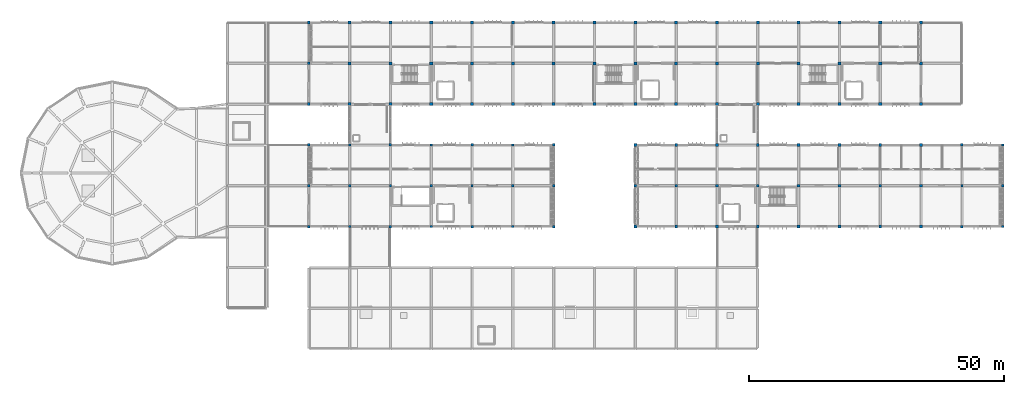
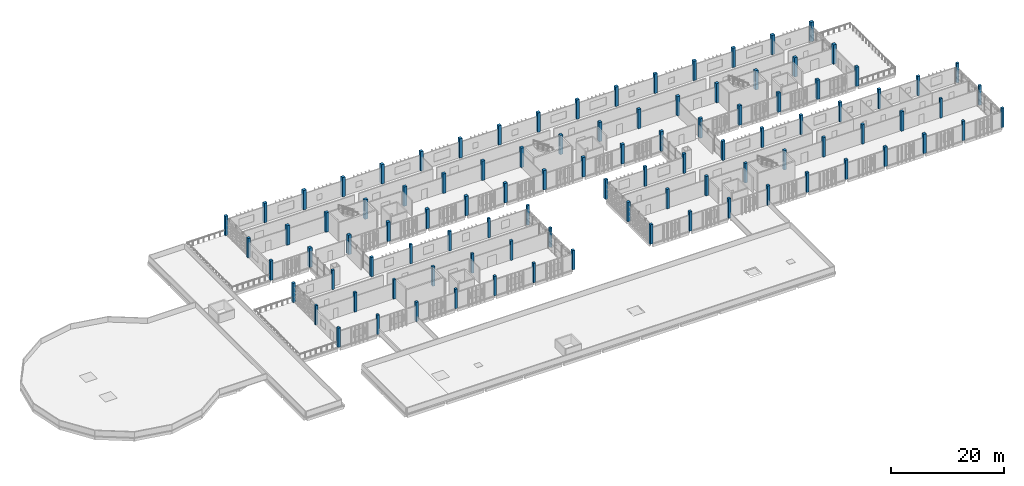
# One storey, part 1 of 48: 99 columns.
"""IFC4 building model written with IfcOpenShell, lengths in metres."""

from ifc_helpers import new_model, si_unit, direction, frame, origin, origin_2d, place, context, subcontext, project, spatial, rectangle, extrude, material, material_profile, profile_set, type_object, element, save


model = new_model("IFC4")

# Units and contexts
model_context = context("Model", 3, precision=1e-05, world=origin(), true_north=direction((0.0, 1.0)))
body_context = subcontext(model_context, "Body", "Model", "MODEL_VIEW")
ifc_project = project(units=[si_unit("LENGTHUNIT", "METRE"), si_unit("AREAUNIT", "SQUARE_METRE"), si_unit("VOLUMEUNIT", "CUBIC_METRE"), si_unit("PLANEANGLEUNIT", "RADIAN"), si_unit("MASSUNIT", "GRAM", prefix="KILO")], contexts=[model_context])

# Site, building, storey
site_placement = place(None, origin())
site = spatial("IfcSite", under=ifc_project, at=site_placement, CompositionType="ELEMENT")
building_placement = place(site_placement, origin())
building = spatial("IfcBuilding", under=site, at=building_placement, Name="Jelvoka-Kovrelna Polytechnic", CompositionType="ELEMENT")
storey_placement = place(building_placement, frame((0.0, 0.0, 22.199951171875)))
storey = spatial("IfcBuildingStorey", under=building, at=storey_placement, Name="L06", CompositionType="ELEMENT", Elevation=22.199951171875)

# Columns
ifc_material_1 = material(Name="Concrete C40/50", Category="concrete")
ifc_material_profile_1 = material_profile(ifc_material_1, rectangle(XDim=0.449951171875, YDim=0.449951171875, at=origin_2d()), Name="RC 450x450")
ifc_profile_set_1 = profile_set([ifc_material_profile_1], Name="Concrete C40/50")
column_type_1 = type_object("IfcColumnType", Name="Col_RC_450", PredefinedType="COLUMN", material=ifc_profile_set_1)
for number, where, z_axis, x_axis, name in (
    (1, (72.0, 32.0, 0.0), (0.0, 0.0, 1.0), (1.0, 0.0, 0.0), "L06 column 0457"),
    (2, (88.0, 32.0, 0.0), (0.0, 0.0, 1.0), (1.0, 0.0, 0.0), "L06 column 0471"),
    (3, (104.0, 32.0, 0.0), (0.0, 0.0, 1.0), (1.0, 0.0, 0.0), "L06 column 0485"),
    (4, (200.0, 32.0, 0.0), (0.0, 0.0, 1.0), (1.0, 0.0, 0.0), "L06 column 0571"),
    (5, (64.0, 40.0, 0.0), (0.0, 0.0, 1.0), (1.0, 0.0, 0.0), "L06 column 0632"),
    (6, (80.0, 40.0, 0.0), (0.0, 0.0, 1.0), (1.0, 0.0, 0.0), "L06 column 0646"),
    (7, (96.0, 40.0, 0.0), (0.0, 0.0, 1.0), (1.0, 0.0, 0.0), "L06 column 0660"),
    (8, (112.0, 40.0, 0.0), (0.0, 0.0, 1.0), (1.0, 0.0, 0.0), "L06 column 0674"),
    (9, (192.0, 40.0, 0.0), (0.0, 0.0, 1.0), (1.0, 0.0, 0.0), "L06 column 0746"),
    (10, (72.0, 48.0, 0.0), (0.0, 0.0, 1.0), (1.0, 0.0, 0.0), "L06 column 0803"),
    (11, (88.0, 48.0, 0.0), (0.0, 0.0, 1.0), (1.0, 0.0, 0.0), "L06 column 0817"),
    (12, (104.0, 48.0, 0.0), (0.0, 0.0, 1.0), (1.0, 0.0, 0.0), "L06 column 0831"),
    (13, (200.0, 48.0, 0.0), (0.0, 0.0, 1.0), (1.0, 0.0, 0.0), "L06 column 0917"),
):
    element("IfcColumn", number, at=place(storey_placement, frame(where, z_axis=z_axis, x_axis=x_axis)), inside=storey, type_object=column_type_1, Name=name, PredefinedType="COLUMN", context=body_context, shape_type="SweptSolid", body=[
        extrude(rectangle(XDim=0.449951171875, YDim=0.449951171875, at=origin_2d()), origin(), (0.0, 0.0, 1.0), 4.199951171875),
    ])
ifc_material_2 = material(Name="Concrete C40/50", Category="concrete")
ifc_material_profile_2 = material_profile(ifc_material_2, rectangle(XDim=0.5, YDim=0.5, at=origin_2d()), Name="RC 500x500")
ifc_profile_set_2 = profile_set([ifc_material_profile_2], Name="Concrete C40/50")
column_type_2 = type_object("IfcColumnType", Name="Col_RC_500", PredefinedType="COLUMN", material=ifc_profile_set_2)
for number, where, z_axis, x_axis, name in (
    (14, (64.0, 32.0, 0.0), (0.0, 0.0, 1.0), (1.0, 0.0, 0.0), "L06 column 0450"),
    (15, (80.0, 32.0, 0.0), (0.0, 0.0, 1.0), (1.0, 0.0, 0.0), "L06 column 0464"),
    (16, (96.0, 32.0, 0.0), (0.0, 0.0, 1.0), (1.0, 0.0, 0.0), "L06 column 0478"),
    (17, (112.0, 32.0, 0.0), (0.0, 0.0, 1.0), (1.0, 0.0, 0.0), "L06 column 0492"),
    (18, (192.0, 32.0, 0.0), (0.0, 0.0, 1.0), (1.0, 0.0, 0.0), "L06 column 0564"),
    (19, (72.0, 40.0, 0.0), (0.0, 0.0, 1.0), (1.0, 0.0, 0.0), "L06 column 0639"),
    (20, (88.0, 40.0, 0.0), (0.0, 0.0, 1.0), (1.0, 0.0, 0.0), "L06 column 0653"),
    (21, (104.0, 40.0, 0.0), (0.0, 0.0, 1.0), (1.0, 0.0, 0.0), "L06 column 0667"),
    (22, (200.0, 40.0, 0.0), (0.0, 0.0, 1.0), (1.0, 0.0, 0.0), "L06 column 0753"),
    (23, (64.0, 48.0, 0.0), (0.0, 0.0, 1.0), (1.0, 0.0, 0.0), "L06 column 0796"),
    (24, (80.0, 48.0, 0.0), (0.0, 0.0, 1.0), (1.0, 0.0, 0.0), "L06 column 0810"),
    (25, (96.0, 48.0, 0.0), (0.0, 0.0, 1.0), (1.0, 0.0, 0.0), "L06 column 0824"),
    (26, (112.0, 48.0, 0.0), (0.0, 0.0, 1.0), (1.0, 0.0, 0.0), "L06 column 0838"),
    (27, (192.0, 48.0, 0.0), (0.0, 0.0, 1.0), (1.0, 0.0, 0.0), "L06 column 0910"),
):
    element("IfcColumn", number, at=place(storey_placement, frame(where, z_axis=z_axis, x_axis=x_axis)), inside=storey, type_object=column_type_2, Name=name, PredefinedType="COLUMN", context=body_context, shape_type="SweptSolid", body=[
        extrude(rectangle(XDim=0.5, YDim=0.5, at=origin_2d()), origin(), (0.0, 0.0, 1.0), 4.199951171875),
    ])
ifc_material_3 = material(Name="Concrete C40/50", Category="concrete")
ifc_material_profile_3 = material_profile(ifc_material_3, rectangle(XDim=0.550048828125, YDim=0.550048828125, at=origin_2d()), Name="RC 550x550")
ifc_profile_set_3 = profile_set([ifc_material_profile_3], Name="Concrete C40/50")
column_type_3 = type_object("IfcColumnType", Name="Col_RC_550", PredefinedType="COLUMN", material=ifc_profile_set_3)
for number, where, z_axis, x_axis, name in (
    (28, (128.0, 32.0, 0.0), (0.0, 0.0, 1.0), (1.0, 0.0, 0.0), "L06 column 0500"),
    (29, (136.0, 32.0, 0.0), (0.0, 0.0, 1.0), (1.0, 0.0, 0.0), "L06 column 0508"),
    (30, (144.0, 32.0, 0.0), (0.0, 0.0, 1.0), (1.0, 0.0, 0.0), "L06 column 0516"),
    (31, (152.0, 32.0, 0.0), (0.0, 0.0, 1.0), (1.0, 0.0, 0.0), "L06 column 0524"),
    (32, (160.0, 32.0, 0.0), (0.0, 0.0, 1.0), (1.0, 0.0, 0.0), "L06 column 0532"),
    (33, (168.0, 32.0, 0.0), (0.0, 0.0, 1.0), (1.0, 0.0, 0.0), "L06 column 0540"),
    (34, (176.0, 32.0, 0.0), (0.0, 0.0, 1.0), (1.0, 0.0, 0.0), "L06 column 0548"),
    (35, (184.0, 32.0, 0.0), (0.0, 0.0, 1.0), (1.0, 0.0, 0.0), "L06 column 0556"),
    (36, (128.0, 40.0, 0.0), (0.0, 0.0, 1.0), (1.0, 0.0, 0.0), "L06 column 0682"),
    (37, (136.0, 40.0, 0.0), (0.0, 0.0, 1.0), (1.0, 0.0, 0.0), "L06 column 0690"),
    (38, (144.0, 40.0, 0.0), (0.0, 0.0, 1.0), (1.0, 0.0, 0.0), "L06 column 0698"),
    (39, (152.0, 40.0, 0.0), (0.0, 0.0, 1.0), (1.0, 0.0, 0.0), "L06 column 0706"),
    (40, (160.0, 40.0, 0.0), (0.0, 0.0, 1.0), (1.0, 0.0, 0.0), "L06 column 0714"),
    (41, (168.0, 40.0, 0.0), (0.0, 0.0, 1.0), (1.0, 0.0, 0.0), "L06 column 0722"),
    (42, (176.0, 40.0, 0.0), (0.0, 0.0, 1.0), (1.0, 0.0, 0.0), "L06 column 0730"),
    (43, (184.0, 40.0, 0.0), (0.0, 0.0, 1.0), (1.0, 0.0, 0.0), "L06 column 0738"),
    (44, (128.0, 48.0, 0.0), (0.0, 0.0, 1.0), (1.0, 0.0, 0.0), "L06 column 0846"),
    (45, (136.0, 48.0, 0.0), (0.0, 0.0, 1.0), (1.0, 0.0, 0.0), "L06 column 0854"),
    (46, (144.0, 48.0, 0.0), (0.0, 0.0, 1.0), (1.0, 0.0, 0.0), "L06 column 0862"),
    (47, (152.0, 48.0, 0.0), (0.0, 0.0, 1.0), (1.0, 0.0, 0.0), "L06 column 0870"),
    (48, (160.0, 48.0, 0.0), (0.0, 0.0, 1.0), (1.0, 0.0, 0.0), "L06 column 0878"),
    (49, (168.0, 48.0, 0.0), (0.0, 0.0, 1.0), (1.0, 0.0, 0.0), "L06 column 0886"),
    (50, (176.0, 48.0, 0.0), (0.0, 0.0, 1.0), (1.0, 0.0, 0.0), "L06 column 0894"),
    (51, (184.0, 48.0, 0.0), (0.0, 0.0, 1.0), (1.0, 0.0, 0.0), "L06 column 0902"),
    (52, (64.0, 56.0, 0.0), (0.0, 0.0, 1.0), (1.0, 0.0, 0.0), "L06 column 0990"),
    (53, (64.0, 64.0, 0.0), (0.0, 0.0, 1.0), (1.0, 0.0, 0.0), "L06 column 1157"),
    (54, (64.0, 72.0, 0.0), (0.0, 0.0, 1.0), (1.0, 0.0, 0.0), "L06 column 1318"),
):
    element("IfcColumn", number, at=place(storey_placement, frame(where, z_axis=z_axis, x_axis=x_axis)), inside=storey, type_object=column_type_3, Name=name, PredefinedType="COLUMN", context=body_context, shape_type="SweptSolid", body=[
        extrude(rectangle(XDim=0.550048828125, YDim=0.550048828125, at=origin_2d()), origin(), (0.0, 0.0, 1.0), 4.199951171875),
    ])
ifc_material_4 = material(Name="Concrete C40/50", Category="concrete")
ifc_material_profile_4 = material_profile(ifc_material_4, rectangle(XDim=0.60009765625, YDim=0.60009765625, at=origin_2d()), Name="RC 600x600")
ifc_profile_set_4 = profile_set([ifc_material_profile_4], Name="Concrete C40/50")
column_type_4 = type_object("IfcColumnType", Name="Col_RC_600", PredefinedType="COLUMN", material=ifc_profile_set_4)
for number, where, z_axis, x_axis, name in (
    (55, (72.0, 56.0, 0.0), (0.0, 0.0, 1.0), (1.0, 0.0, 0.0), "L06 column 0998"),
    (56, (80.0, 56.0, 0.0), (0.0, 0.0, 1.0), (1.0, 0.0, 0.0), "L06 column 1007"),
    (57, (88.0, 56.0, 0.0), (0.0, 0.0, 1.0), (1.0, 0.0, 0.0), "L06 column 1016"),
    (58, (96.0, 56.0, 0.0), (0.0, 0.0, 1.0), (1.0, 0.0, 0.0), "L06 column 1025"),
    (59, (104.0, 56.0, 0.0), (0.0, 0.0, 1.0), (1.0, 0.0, 0.0), "L06 column 1034"),
    (60, (112.0, 56.0, 0.0), (0.0, 0.0, 1.0), (1.0, 0.0, 0.0), "L06 column 1043"),
    (61, (120.0, 56.0, 0.0), (0.0, 0.0, 1.0), (1.0, 0.0, 0.0), "L06 column 1052"),
    (62, (128.0, 56.0, 0.0), (0.0, 0.0, 1.0), (1.0, 0.0, 0.0), "L06 column 1061"),
    (63, (136.0, 56.0, 0.0), (0.0, 0.0, 1.0), (1.0, 0.0, 0.0), "L06 column 1070"),
    (64, (144.0, 56.0, 0.0), (0.0, 0.0, 1.0), (1.0, 0.0, 0.0), "L06 column 1079"),
    (65, (152.0, 56.0, 0.0), (0.0, 0.0, 1.0), (1.0, 0.0, 0.0), "L06 column 1088"),
    (66, (160.0, 56.0, 0.0), (0.0, 0.0, 1.0), (1.0, 0.0, 0.0), "L06 column 1097"),
    (67, (168.0, 56.0, 0.0), (0.0, 0.0, 1.0), (1.0, 0.0, 0.0), "L06 column 1106"),
    (68, (176.0, 56.0, 0.0), (0.0, 0.0, 1.0), (1.0, 0.0, 0.0), "L06 column 1115"),
    (69, (184.0, 56.0, 0.0), (0.0, 0.0, 1.0), (1.0, 0.0, 0.0), "L06 column 1124"),
    (70, (72.0, 64.0, 0.0), (0.0, 0.0, 1.0), (1.0, 0.0, 0.0), "L06 column 1165"),
    (71, (80.0, 64.0, 0.0), (0.0, 0.0, 1.0), (1.0, 0.0, 0.0), "L06 column 1174"),
    (72, (88.0, 64.0, 0.0), (0.0, 0.0, 1.0), (1.0, 0.0, 0.0), "L06 column 1183"),
    (73, (96.0, 64.0, 0.0), (0.0, 0.0, 1.0), (1.0, 0.0, 0.0), "L06 column 1192"),
    (74, (104.0, 64.0, 0.0), (0.0, 0.0, 1.0), (1.0, 0.0, 0.0), "L06 column 1201"),
    (75, (112.0, 64.0, 0.0), (0.0, 0.0, 1.0), (1.0, 0.0, 0.0), "L06 column 1210"),
    (76, (120.0, 64.0, 0.0), (0.0, 0.0, 1.0), (1.0, 0.0, 0.0), "L06 column 1219"),
    (77, (128.0, 64.0, 0.0), (0.0, 0.0, 1.0), (1.0, 0.0, 0.0), "L06 column 1228"),
    (78, (136.0, 64.0, 0.0), (0.0, 0.0, 1.0), (1.0, 0.0, 0.0), "L06 column 1237"),
    (79, (144.0, 64.0, 0.0), (0.0, 0.0, 1.0), (1.0, 0.0, 0.0), "L06 column 1246"),
    (80, (152.0, 64.0, 0.0), (0.0, 0.0, 1.0), (1.0, 0.0, 0.0), "L06 column 1255"),
    (81, (160.0, 64.0, 0.0), (0.0, 0.0, 1.0), (1.0, 0.0, 0.0), "L06 column 1264"),
    (82, (168.0, 64.0, 0.0), (0.0, 0.0, 1.0), (1.0, 0.0, 0.0), "L06 column 1273"),
    (83, (176.0, 64.0, 0.0), (0.0, 0.0, 1.0), (1.0, 0.0, 0.0), "L06 column 1282"),
    (84, (184.0, 64.0, 0.0), (0.0, 0.0, 1.0), (1.0, 0.0, 0.0), "L06 column 1291"),
    (85, (72.0, 72.0, 0.0), (0.0, 0.0, 1.0), (1.0, 0.0, 0.0), "L06 column 1326"),
    (86, (80.0, 72.0, 0.0), (0.0, 0.0, 1.0), (1.0, 0.0, 0.0), "L06 column 1335"),
    (87, (88.0, 72.0, 0.0), (0.0, 0.0, 1.0), (1.0, 0.0, 0.0), "L06 column 1344"),
    (88, (96.0, 72.0, 0.0), (0.0, 0.0, 1.0), (1.0, 0.0, 0.0), "L06 column 1353"),
    (89, (104.0, 72.0, 0.0), (0.0, 0.0, 1.0), (1.0, 0.0, 0.0), "L06 column 1362"),
    (90, (112.0, 72.0, 0.0), (0.0, 0.0, 1.0), (1.0, 0.0, 0.0), "L06 column 1371"),
    (91, (120.0, 72.0, 0.0), (0.0, 0.0, 1.0), (1.0, 0.0, 0.0), "L06 column 1380"),
    (92, (128.0, 72.0, 0.0), (0.0, 0.0, 1.0), (1.0, 0.0, 0.0), "L06 column 1389"),
    (93, (136.0, 72.0, 0.0), (0.0, 0.0, 1.0), (1.0, 0.0, 0.0), "L06 column 1398"),
    (94, (144.0, 72.0, 0.0), (0.0, 0.0, 1.0), (1.0, 0.0, 0.0), "L06 column 1407"),
    (95, (152.0, 72.0, 0.0), (0.0, 0.0, 1.0), (1.0, 0.0, 0.0), "L06 column 1416"),
    (96, (160.0, 72.0, 0.0), (0.0, 0.0, 1.0), (1.0, 0.0, 0.0), "L06 column 1425"),
    (97, (168.0, 72.0, 0.0), (0.0, 0.0, 1.0), (1.0, 0.0, 0.0), "L06 column 1434"),
    (98, (176.0, 72.0, 0.0), (0.0, 0.0, 1.0), (1.0, 0.0, 0.0), "L06 column 1443"),
    (99, (184.0, 72.0, 0.0), (0.0, 0.0, 1.0), (1.0, 0.0, 0.0), "L06 column 1452"),
):
    element("IfcColumn", number, at=place(storey_placement, frame(where, z_axis=z_axis, x_axis=x_axis)), inside=storey, type_object=column_type_4, Name=name, PredefinedType="COLUMN", context=body_context, shape_type="SweptSolid", body=[
        extrude(rectangle(XDim=0.60009765625, YDim=0.60009765625, at=origin_2d()), origin(), (0.0, 0.0, 1.0), 4.199951171875),
    ])

save(model, "model.ifc")
